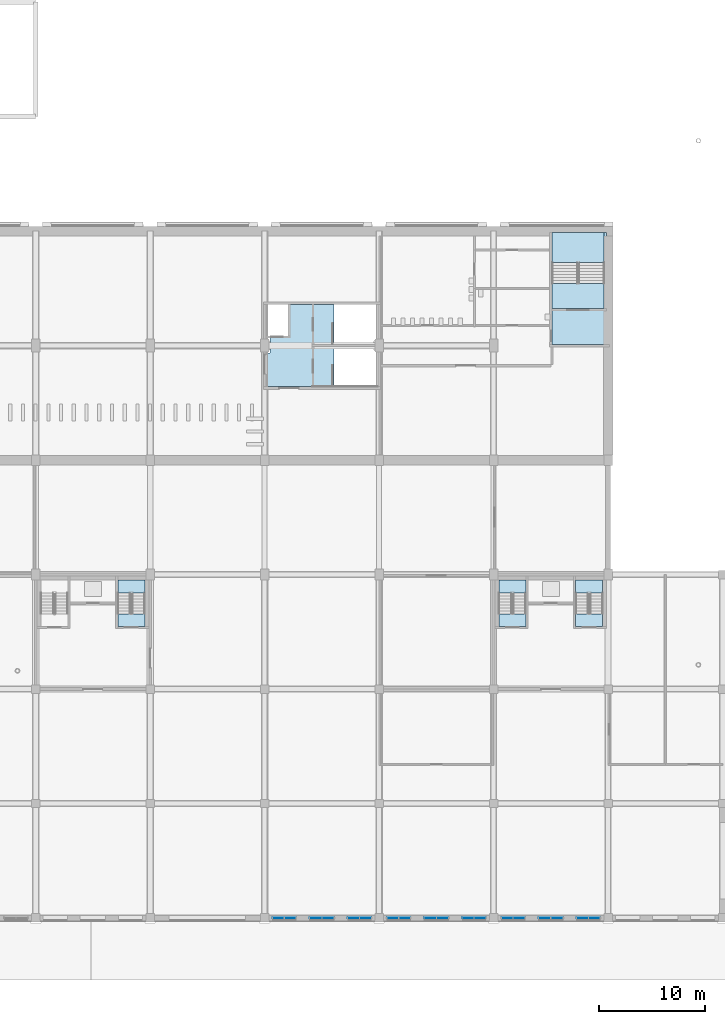
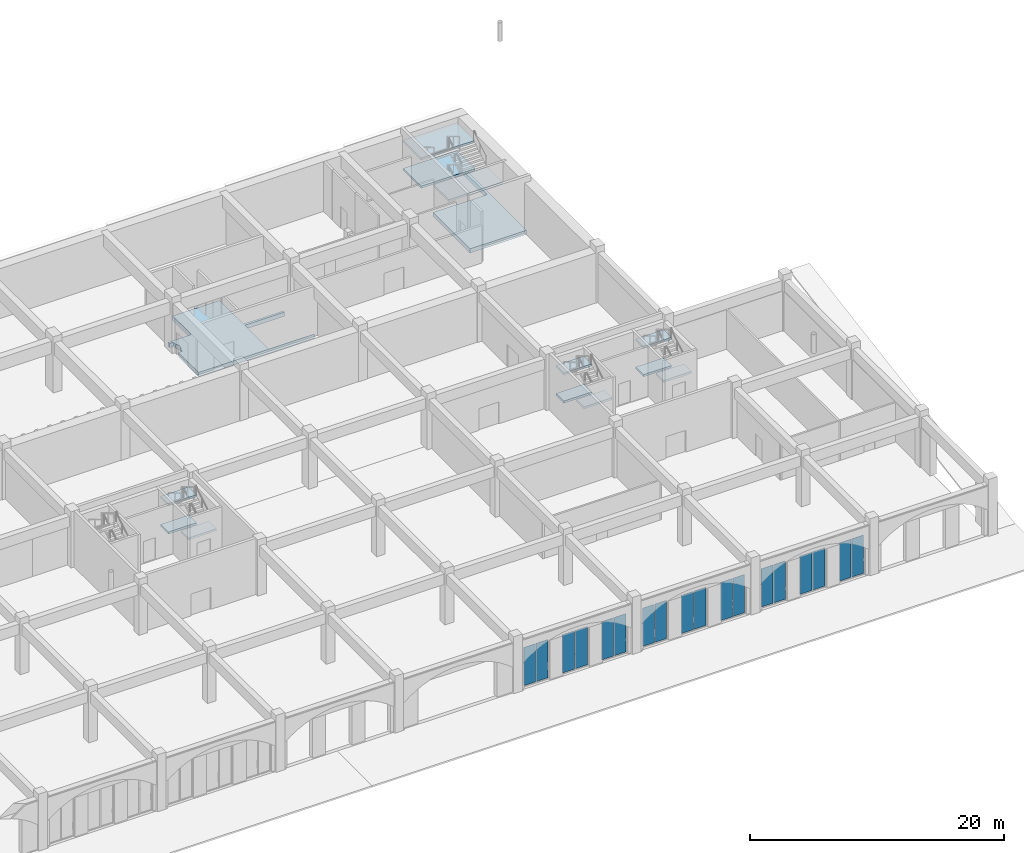
# One storey, part 24 of 101: 18 plates, 14 slabs, 13 elements without a shape of their own.
"""IFC4 building model written with IfcOpenShell, lengths in metres."""

import ifcopenshell
import ifcopenshell.guid

model = None  # the IFC model being written
_history = None  # IfcOwnerHistory: only IFC2X3 demands one
_inside = {}  # id of a spatial element -> (the spatial element, [elements in it])
_under = {}  # id of a project, library or spatial element -> (it, [spatial elements below it])
_declared = {}  # id of a project -> (the project, [libraries it declares])
_typed = {}  # id of a type object -> (the type object, [elements of that type])
_made_of = {}  # id of a material, layer set ... -> (it, [elements and type objects made of it])


def new_model(schema):
    """Start an empty IFC model of exactly this schema.

    Asked for "IFC4X3", IfcOpenShell would pick the latest addendum, in which some entities
    have other attributes; the version numbers below select the first issue.
    IFC2X3 requires an IfcOwnerHistory on every rooted entity: one is made here for all.
    """
    global model, _history
    if schema == "IFC4X3":
        model = ifcopenshell.file(schema_version=(4, 3, 0, 0))
    else:
        model = ifcopenshell.file(schema=schema)
    _inside.clear()
    _under.clear()
    _declared.clear()
    _typed.clear()
    _made_of.clear()
    _history = None
    if model.schema == "IFC2X3":
        org = make("IfcOrganization", Name="unknown")
        user = make(
            "IfcPersonAndOrganization",
            ThePerson=make("IfcPerson", FamilyName="unknown"),
            TheOrganization=org,
        )
        app = make(
            "IfcApplication",
            ApplicationDeveloper=org,
            Version="unknown",
            ApplicationFullName="unknown",
            ApplicationIdentifier="unknown",
        )
        _history = make(
            "IfcOwnerHistory",
            OwningUser=user,
            OwningApplication=app,
            ChangeAction="ADDED",
            CreationDate=0,
        )
    return model


def make(cls, **values):
    """One entity of the class cls with the attributes given. An attribute that is None is left unset."""
    return model.create_entity(
        cls, **{name: value for name, value in values.items() if value is not None}
    )


def rooted(cls, **values):
    """An entity with a GlobalId (a new one), such as an element, a storey or a relation."""
    return make(cls, GlobalId=ifcopenshell.guid.new(), OwnerHistory=_history, **values)


def si_unit(unit_type, name, prefix=None):
    """IfcSIUnit, for example si_unit("LENGTHUNIT", "METRE", prefix="MILLI")."""
    return make("IfcSIUnit", UnitType=unit_type, Prefix=prefix, Name=name)


def assignment(units):
    """IfcUnitAssignment: the units of a project."""
    return None if units is None else make("IfcUnitAssignment", Units=units)


def point(xyz):
    """IfcCartesianPoint."""
    return None if xyz is None else make("IfcCartesianPoint", Coordinates=xyz)


def direction(xyz):
    """IfcDirection."""
    return None if xyz is None else make("IfcDirection", DirectionRatios=xyz)


def frame(location, z_axis=None, x_axis=None):
    """IfcAxis2Placement3D, a coordinate frame: its origin and axes. An axis left out is left unset."""
    return make(
        "IfcAxis2Placement3D",
        Location=point(location),
        Axis=direction(z_axis),
        RefDirection=direction(x_axis),
    )


def frame_2d(location, x_axis=None):
    """IfcAxis2Placement2D, a coordinate frame in the plane: its origin and x axis."""
    return make(
        "IfcAxis2Placement2D", Location=point(location), RefDirection=direction(x_axis)
    )


def origin():
    """The frame at (0, 0, 0) with its axes left unset."""
    return frame((0.0, 0.0, 0.0))


def origin_2d():
    """The frame at (0, 0) in the plane with its x axis left unset."""
    return frame_2d((0.0, 0.0))


def place(relative_to, where):
    """IfcLocalPlacement: puts the frame where relative to a parent placement (None: the world)."""
    return make(
        "IfcLocalPlacement", PlacementRelTo=relative_to, RelativePlacement=where
    )


def context(
    kind, dimensions, precision=None, world=None, true_north=None, identifier=None
):
    """IfcGeometricRepresentationContext, for example the 3D "Model" context."""
    return make(
        "IfcGeometricRepresentationContext",
        ContextIdentifier=identifier,
        ContextType=kind,
        CoordinateSpaceDimension=dimensions,
        Precision=precision,
        WorldCoordinateSystem=world,
        TrueNorth=true_north,
    )


def subcontext(parent, identifier, kind, view, scale=None):
    """IfcGeometricRepresentationSubContext, for example "Body" below "Model"."""
    return make(
        "IfcGeometricRepresentationSubContext",
        ContextIdentifier=identifier,
        ContextType=kind,
        ParentContext=parent,
        TargetScale=scale,
        TargetView=view,
    )


def project(units=None, contexts=None):
    """IfcProject with its units and contexts."""
    return rooted(
        "IfcProject",
        Name="project",
        RepresentationContexts=contexts,
        UnitsInContext=assignment(units),
    )


def spatial(cls, under=None, at=None, **own):
    """A site, building, storey or space (cls), placed at a placement, below another one or the project."""
    s = rooted(cls, ObjectPlacement=at, **own)
    if under is not None:
        _under.setdefault(under.id(), (under, []))[1].append(s)
    return s


def polyline(points):
    """IfcPolyline through the points."""
    return make("IfcPolyline", Points=[point(p) for p in points])


def profile(cls, at=None, kind="AREA", **sizes):
    """A parametric profile (cls). Its sizes go by their IFC names, for example OverallWidth=200.0."""
    return make(cls, ProfileType=kind, Position=at, **sizes)


def rectangle(**sizes):
    """IfcRectangleProfileDef."""
    return profile("IfcRectangleProfileDef", **sizes)


def outline(outer, holes=None, kind="AREA"):
    """IfcArbitraryClosedProfileDef: a profile drawn as a closed curve; with holes, ...WithVoids."""
    if holes is None:
        return make("IfcArbitraryClosedProfileDef", ProfileType=kind, OuterCurve=outer)
    return make(
        "IfcArbitraryProfileDefWithVoids",
        ProfileType=kind,
        OuterCurve=outer,
        InnerCurves=holes,
    )


def extrude(swept, where, along, depth):
    """IfcExtrudedAreaSolid: the profile swept, set in the frame where, extruded along a direction by depth."""
    return make(
        "IfcExtrudedAreaSolid",
        SweptArea=swept,
        Position=where,
        ExtrudedDirection=direction(along),
        Depth=depth,
    )


def shape(context_of_items, identifier, shape_type, items):
    """IfcShapeRepresentation: the items that make up one representation, for example the "Body"."""
    return make(
        "IfcShapeRepresentation",
        ContextOfItems=context_of_items,
        RepresentationIdentifier=identifier,
        RepresentationType=shape_type,
        Items=items,
    )


def material(Name=None, Category=None):
    """IfcMaterial."""
    return make("IfcMaterial", Name=Name, Category=Category)


def layer(
    of_material, thickness, ventilated=None, Name=None, Category=None, Priority=None
):
    """IfcMaterialLayer: one layer of a wall or slab, of a material (None: an air gap)."""
    return make(
        "IfcMaterialLayer",
        Material=of_material,
        LayerThickness=thickness,
        IsVentilated=ventilated,
        Name=Name,
        Category=Category,
        Priority=Priority,
    )


def layer_set(layers, Name=None):
    """IfcMaterialLayerSet."""
    return make("IfcMaterialLayerSet", MaterialLayers=layers, LayerSetName=Name)


def made_of(thing, what):
    """Note that an element or type object is made of a material, layer set ...; save() writes the relation."""
    if what is not None:
        _made_of.setdefault(what.id(), (what, []))[1].append(thing)
    return thing


def type_object(cls, material=None, **own):
    """A type object (cls), such as IfcWallType, which elements share."""
    return made_of(rooted(cls, **own), material)


def element(
    cls,
    number,
    at=None,
    inside=None,
    cuts=None,
    type_object=None,
    material=None,
    context=None,
    identifier="Body",
    shape_type=None,
    held_by="IfcProductDefinitionShape",
    body=None,
    shapes=None,
    **own,
):
    """One element of the class cls, such as IfcWall. Its Tag is "e" and its number.

    at: its placement. inside: the storey or other place that contains it. cuts: it is an
    opening in that element (IfcRelVoidsElement). A single representation is given by context,
    identifier, shape_type and body (its items); several are given by shapes. held_by: the class
    of the entity that holds the representations. save() writes the other relations.
    """
    e = rooted(cls, Tag="e%d" % number, ObjectPlacement=at, **own)
    if body is not None:
        shapes = [shape(context, identifier, shape_type, body)]
    if shapes is not None:
        e.Representation = make(held_by, Representations=shapes)
    if inside is not None:
        _inside.setdefault(inside.id(), (inside, []))[1].append(e)
    if cuts is not None:
        rooted(
            "IfcRelVoidsElement", RelatingBuildingElement=cuts, RelatedOpeningElement=e
        )
    if type_object is not None:
        _typed.setdefault(type_object.id(), (type_object, []))[1].append(e)
    return made_of(e, material)


def aggregate(whole, parts):
    """IfcRelAggregates: a whole, such as a stair, and the parts it consists of."""
    return rooted("IfcRelAggregates", RelatingObject=whole, RelatedObjects=parts)


def save(model, path):
    """Write the relations noted so far, then the file.

    IfcRelAggregates (storeys below a building ...), IfcRelContainedInSpatialStructure (elements
    in a storey), IfcRelDefinesByType, IfcRelAssociatesMaterial and IfcRelDeclares: one each for
    every whole, place, type object, material and project.
    """
    for whole, parts in _under.values():
        aggregate(whole, parts)
    for where, things in _inside.values():
        rooted(
            "IfcRelContainedInSpatialStructure",
            RelatedElements=things,
            RelatingStructure=where,
        )
    for kind, things in _typed.values():
        rooted("IfcRelDefinesByType", RelatedObjects=things, RelatingType=kind)
    for what, things in _made_of.values():
        rooted("IfcRelAssociatesMaterial", RelatedObjects=things, RelatingMaterial=what)
    for by, libraries in _declared.values():
        rooted("IfcRelDeclares", RelatingContext=by, RelatedDefinitions=libraries)
    model.write(path)


model = new_model("IFC4")

# Units and contexts
model_context = context("Model", 3, precision=1e-05, world=origin(), true_north=direction((0.0, 1.0)))
body_context = subcontext(model_context, "Body", "Model", "MODEL_VIEW")
ifc_project = project(units=[si_unit("LENGTHUNIT", "METRE"), si_unit("AREAUNIT", "SQUARE_METRE"), si_unit("VOLUMEUNIT", "CUBIC_METRE"), si_unit("PLANEANGLEUNIT", "RADIAN"), si_unit("MASSUNIT", "GRAM", prefix="KILO")], contexts=[model_context])

# Site, building, storey
site_placement = place(None, origin())
site = spatial("IfcSite", under=ifc_project, at=site_placement, CompositionType="ELEMENT")
building_placement = place(site_placement, origin())
building = spatial("IfcBuilding", under=site, at=building_placement, Name="Magnolia Steps Interchange", CompositionType="ELEMENT")
storey_placement = place(building_placement, frame((0.0, 0.0, -5.39990234375)))
storey = spatial("IfcBuildingStorey", under=building, at=storey_placement, Name="B1", CompositionType="ELEMENT", Elevation=-5.39990234375)

# Slabs
ifc_material_1 = material(Name="Concrete C35", Category="concrete")
ifc_layer_1 = layer(ifc_material_1, 0.39990234375)
ifc_layer_set_1 = layer_set([ifc_layer_1], Name="Core floor slab 400")
slab_type_1 = type_object("IfcSlabType", Name="Core floor slab 400", PredefinedType="FLOOR", material=ifc_layer_set_1)
slab_1_placement = place(storey_placement, frame((0.0, 0.0, -0.400146484375)))
element("IfcSlab", 1, at=slab_1_placement, inside=storey, type_object=slab_type_1, Name="B1 core floor PC3", PredefinedType="FLOOR", context=body_context, shape_type="SweptSolid", body=[
    extrude(outline(polyline([(150.52490234375, 63.300048828125), (150.89990234375, 63.300048828125), (150.89990234375, 63.5849609375), (150.902587890625, 63.587646484375), (150.9404296875, 63.638916015625), (150.97314453125, 63.693603515625), (151.00048828125, 63.751220703125), (151.02197265625, 63.811279296875), (151.03759765625, 63.873291015625), (151.046875, 63.936279296875), (151.050048828125, 64.0), (151.046875, 64.063720703125), (151.03759765625, 64.126708984375), (151.02197265625, 64.188720703125), (151.00048828125, 64.248779296875), (150.97314453125, 64.306396484375), (150.9404296875, 64.361083984375), (150.902587890625, 64.412353515625), (150.89990234375, 64.4150390625), (150.89990234375, 64.699951171875), (150.52490234375, 64.699951171875), (150.52490234375, 64.925048828125), (152.625, 64.925048828125), (152.625, 67.875), (156.925048828125, 67.875), (156.925048828125, 64.125), (160.562255859375, 64.125), (160.552978515625, 64.063720703125), (160.550048828125, 64.0), (160.552978515625, 63.936279296875), (160.5546875, 63.925048828125), (156.925048828125, 63.925048828125), (156.925048828125, 60.175048828125), (161.074951171875, 60.175048828125), (161.074951171875, 60.125), (150.52490234375, 60.125), (150.52490234375, 63.300048828125)])), origin(), (0.0, 0.0, 1.0), 0.400146484375),
])
slab_2_placement = place(storey_placement, frame((0.0, 0.0, -0.400146484375)))
element("IfcSlab", 2, at=slab_2_placement, inside=storey, type_object=slab_type_1, Name="B1 core floor BE-E", PredefinedType="FLOOR", context=body_context, shape_type="SweptSolid", body=[
    extrude(outline(polyline([(177.52490234375, 69.925048828125), (182.425048828125, 69.925048828125), (182.425048828125, 74.675048828125), (182.675048828125, 74.675048828125), (182.675048828125, 64.125), (177.52490234375, 64.125), (177.52490234375, 69.925048828125)])), origin(), (0.0, 0.0, 1.0), 0.400146484375),
])

# Stair, slabs
ifc_material_2 = material(Name="Concrete C40", Category="concrete")
stair_type_1 = type_object("IfcStairType", Name="Exit stair 2400", PredefinedType="HALF_TURN_STAIR", material=ifc_material_2)
stair_1_placement = place(storey_placement, origin())
stair_1 = element("IfcStair", 3, at=stair_1_placement, inside=storey, type_object=stair_type_1, Name="B1 Stair 16", PredefinedType="HALF_TURN_STAIR")
ifc_material_3 = material(Name="Concrete C40", Category="concrete")
ifc_layer_2 = layer(ifc_material_3, 0.199951171875)
ifc_layer_set_2 = layer_set([ifc_layer_2], Name="Exit stair landing 200")
slab_type_2 = type_object("IfcSlabType", Name="Exit stair landing 200", PredefinedType="LANDING", material=ifc_layer_set_2)
slab_3_placement = place(storey_placement, frame((0.0, 0.0, 1.14990234375)))
slab_3 = element("IfcSlab", 4, at=slab_3_placement, type_object=slab_type_2, Name="Stair 16 landing 1", PredefinedType="LANDING", context=body_context, shape_type="SweptSolid", body=[
    extrude(outline(polyline([(182.425048828125, 71.8349609375), (182.425048828125, 74.675048828125), (177.52490234375, 74.675048828125), (177.52490234375, 71.8349609375), (182.425048828125, 71.8349609375)])), origin(), (0.0, 0.0, 1.0), 0.199951171875),
])
slab_4_placement = place(storey_placement, frame((0.0, 0.0, 2.5)))
slab_4 = element("IfcSlab", 5, at=slab_4_placement, type_object=slab_type_2, Name="Stair 16 landing 2", PredefinedType="LANDING", context=body_context, shape_type="SweptSolid", body=[
    extrude(outline(polyline([(182.425048828125, 67.47509765625), (182.425048828125, 69.875), (177.52490234375, 69.875), (177.52490234375, 67.47509765625), (182.425048828125, 67.47509765625)])), origin(), (0.0, 0.0, 1.0), 0.199951171875),
])
slab_5_placement = place(storey_placement, frame((0.0, 0.0, 3.849853515625)))
slab_5 = element("IfcSlab", 6, at=slab_5_placement, type_object=slab_type_2, Name="Stair 16 landing 3", PredefinedType="LANDING", context=body_context, shape_type="SweptSolid", body=[
    extrude(outline(polyline([(182.425048828125, 71.8349609375), (182.425048828125, 74.675048828125), (177.52490234375, 74.675048828125), (177.52490234375, 71.8349609375), (182.425048828125, 71.8349609375)])), origin(), (0.0, 0.0, 1.0), 0.199951171875),
])
aggregate(stair_1, [slab_3, slab_4, slab_5])

ifc_material_4 = material(Name="Concrete C40", Category="concrete")
stair_type_2 = type_object("IfcStairType", Name="Exit stair 1200", PredefinedType="HALF_TURN_STAIR", material=ifc_material_4)
stair_2_placement = place(storey_placement, origin())
stair_2 = element("IfcStair", 7, at=stair_2_placement, inside=storey, type_object=stair_type_2, Name="B1 Stair 22", PredefinedType="HALF_TURN_STAIR")
slab_6_placement = place(storey_placement, frame((0.0, 0.0, 1.14990234375)))
slab_6 = element("IfcSlab", 8, at=slab_6_placement, type_object=slab_type_2, Name="Stair 22 landing 1", PredefinedType="LANDING", context=body_context, shape_type="SweptSolid", body=[
    extrude(outline(polyline([(139.10009765625, 40.659912109375), (139.10009765625, 41.89990234375), (136.550048828125, 41.89990234375), (136.550048828125, 40.659912109375), (139.10009765625, 40.659912109375)])), origin(), (0.0, 0.0, 1.0), 0.199951171875),
])
slab_7_placement = place(storey_placement, frame((0.0, 0.0, 2.5)))
slab_7 = element("IfcSlab", 9, at=slab_7_placement, type_object=slab_type_2, Name="Stair 22 landing 2", PredefinedType="LANDING", context=body_context, shape_type="SweptSolid", body=[
    extrude(outline(polyline([(139.10009765625, 37.5), (139.10009765625, 38.699951171875), (136.550048828125, 38.699951171875), (136.550048828125, 37.5), (139.10009765625, 37.5)])), origin(), (0.0, 0.0, 1.0), 0.199951171875),
])
slab_8_placement = place(storey_placement, frame((0.0, 0.0, 3.849853515625)))
slab_8 = element("IfcSlab", 10, at=slab_8_placement, type_object=slab_type_2, Name="Stair 22 landing 3", PredefinedType="LANDING", context=body_context, shape_type="SweptSolid", body=[
    extrude(outline(polyline([(139.10009765625, 40.659912109375), (139.10009765625, 41.89990234375), (136.550048828125, 41.89990234375), (136.550048828125, 40.659912109375), (139.10009765625, 40.659912109375)])), origin(), (0.0, 0.0, 1.0), 0.199951171875),
])
aggregate(stair_2, [slab_6, slab_7, slab_8])

stair_3_placement = place(storey_placement, origin())
stair_3 = element("IfcStair", 11, at=stair_3_placement, inside=storey, type_object=stair_type_2, Name="B1 Stair 23", PredefinedType="HALF_TURN_STAIR")
slab_9_placement = place(storey_placement, frame((0.0, 0.0, 1.14990234375)))
slab_9 = element("IfcSlab", 12, at=slab_9_placement, type_object=slab_type_2, Name="Stair 23 landing 1", PredefinedType="LANDING", context=body_context, shape_type="SweptSolid", body=[
    extrude(outline(polyline([(175.050048828125, 40.659912109375), (175.050048828125, 41.89990234375), (172.5, 41.89990234375), (172.5, 40.659912109375), (175.050048828125, 40.659912109375)])), origin(), (0.0, 0.0, 1.0), 0.199951171875),
])
slab_10_placement = place(storey_placement, frame((0.0, 0.0, 2.5)))
slab_10 = element("IfcSlab", 13, at=slab_10_placement, type_object=slab_type_2, Name="Stair 23 landing 2", PredefinedType="LANDING", context=body_context, shape_type="SweptSolid", body=[
    extrude(outline(polyline([(175.050048828125, 37.5), (175.050048828125, 38.699951171875), (172.5, 38.699951171875), (172.5, 37.5), (175.050048828125, 37.5)])), origin(), (0.0, 0.0, 1.0), 0.199951171875),
])
slab_11_placement = place(storey_placement, frame((0.0, 0.0, 3.849853515625)))
slab_11 = element("IfcSlab", 14, at=slab_11_placement, type_object=slab_type_2, Name="Stair 23 landing 3", PredefinedType="LANDING", context=body_context, shape_type="SweptSolid", body=[
    extrude(outline(polyline([(175.050048828125, 40.659912109375), (175.050048828125, 41.89990234375), (172.5, 41.89990234375), (172.5, 40.659912109375), (175.050048828125, 40.659912109375)])), origin(), (0.0, 0.0, 1.0), 0.199951171875),
])
aggregate(stair_3, [slab_9, slab_10, slab_11])

stair_4_placement = place(storey_placement, origin())
stair_4 = element("IfcStair", 15, at=stair_4_placement, inside=storey, type_object=stair_type_2, Name="B1 Stair 24", PredefinedType="HALF_TURN_STAIR")
slab_12_placement = place(storey_placement, frame((0.0, 0.0, 1.14990234375)))
slab_12 = element("IfcSlab", 16, at=slab_12_placement, type_object=slab_type_2, Name="Stair 24 landing 1", PredefinedType="LANDING", context=body_context, shape_type="SweptSolid", body=[
    extrude(outline(polyline([(182.300048828125, 40.659912109375), (182.300048828125, 41.89990234375), (179.75, 41.89990234375), (179.75, 40.659912109375), (182.300048828125, 40.659912109375)])), origin(), (0.0, 0.0, 1.0), 0.199951171875),
])
slab_13_placement = place(storey_placement, frame((0.0, 0.0, 2.5)))
slab_13 = element("IfcSlab", 17, at=slab_13_placement, type_object=slab_type_2, Name="Stair 24 landing 2", PredefinedType="LANDING", context=body_context, shape_type="SweptSolid", body=[
    extrude(outline(polyline([(182.300048828125, 37.5), (182.300048828125, 38.699951171875), (179.75, 38.699951171875), (179.75, 37.5), (182.300048828125, 37.5)])), origin(), (0.0, 0.0, 1.0), 0.199951171875),
])
slab_14_placement = place(storey_placement, frame((0.0, 0.0, 3.849853515625)))
slab_14 = element("IfcSlab", 18, at=slab_14_placement, type_object=slab_type_2, Name="Stair 24 landing 3", PredefinedType="LANDING", context=body_context, shape_type="SweptSolid", body=[
    extrude(outline(polyline([(182.300048828125, 40.659912109375), (182.300048828125, 41.89990234375), (179.75, 41.89990234375), (179.75, 40.659912109375), (182.300048828125, 40.659912109375)])), origin(), (0.0, 0.0, 1.0), 0.199951171875),
])
aggregate(stair_4, [slab_12, slab_13, slab_14])

# Curtain wall, plates
ifc_material_5 = material(Name="Powder-coated aluminium and glass", Category="aluminium")
ifc_layer_3 = layer(ifc_material_5, 0.1201171875)
ifc_layer_set_3 = layer_set([ifc_layer_3], Name="Shopfront curtain wall")
curtain_wall_type = type_object("IfcCurtainWallType", Name="Shopfront curtain wall", PredefinedType="NOTDEFINED", material=ifc_layer_set_3)
curtain_wall_1_placement = place(storey_placement, origin())
curtain_wall_1 = element("IfcCurtainWall", 19, at=curtain_wall_1_placement, inside=storey, type_object=curtain_wall_type, Name="Street arcade shopfront 50", PredefinedType="NOTDEFINED")
ifc_material_6 = material(Name="Laminated glass", Category="glass")
ifc_layer_4 = layer(ifc_material_6, 0.028076171875)
ifc_layer_set_4 = layer_set([ifc_layer_4], Name="Glass panel 28")
plate_type = type_object("IfcPlateType", Name="Glass panel 28", PredefinedType="CURTAIN_PANEL", material=ifc_layer_set_4)
plate_1_placement = place(storey_placement, frame((151.68994140625, 10.0, 0.06005859375), z_axis=(0.0, 0.0, 1.0), x_axis=(1.0, 0.0, 0.0)))
plate_1 = element("IfcPlate", 20, at=plate_1_placement, type_object=plate_type, Name="CW3 panel 1.1", PredefinedType="CURTAIN_PANEL", context=body_context, shape_type="SweptSolid", body=[
    extrude(rectangle(XDim=1.06005859375, YDim=0.028076171875, at=origin_2d()), origin(), (0.0, 0.0, 1.0), 3.679931640625),
])
plate_2_placement = place(storey_placement, frame((152.81005859375, 10.0, 0.06005859375), z_axis=(0.0, 0.0, 1.0), x_axis=(1.0, 0.0, 0.0)))
plate_2 = element("IfcPlate", 21, at=plate_2_placement, type_object=plate_type, Name="CW3 panel 2.1", PredefinedType="CURTAIN_PANEL", context=body_context, shape_type="SweptSolid", body=[
    extrude(rectangle(XDim=1.06005859375, YDim=0.028076171875, at=origin_2d()), origin(), (0.0, 0.0, 1.0), 3.679931640625),
])
aggregate(curtain_wall_1, [plate_1, plate_2])

curtain_wall_2_placement = place(storey_placement, origin())
curtain_wall_2 = element("IfcCurtainWall", 22, at=curtain_wall_2_placement, inside=storey, type_object=curtain_wall_type, Name="Street arcade shopfront 52", PredefinedType="NOTDEFINED")
plate_3_placement = place(storey_placement, frame((155.215087890625, 10.0, 0.06005859375), z_axis=(0.0, 0.0, 1.0), x_axis=(1.0, 0.0, 0.0)))
plate_3 = element("IfcPlate", 23, at=plate_3_placement, type_object=plate_type, Name="CW3 panel 1.1", PredefinedType="CURTAIN_PANEL", context=body_context, shape_type="SweptSolid", body=[
    extrude(rectangle(XDim=1.110107421875, YDim=0.028076171875, at=origin_2d()), origin(), (0.0, 0.0, 1.0), 3.679931640625),
])
plate_4_placement = place(storey_placement, frame((156.385009765625, 10.0, 0.06005859375), z_axis=(0.0, 0.0, 1.0), x_axis=(1.0, 0.0, 0.0)))
plate_4 = element("IfcPlate", 24, at=plate_4_placement, type_object=plate_type, Name="CW3 panel 2.1", PredefinedType="CURTAIN_PANEL", context=body_context, shape_type="SweptSolid", body=[
    extrude(rectangle(XDim=1.110107421875, YDim=0.028076171875, at=origin_2d()), origin(), (0.0, 0.0, 1.0), 3.679931640625),
])
aggregate(curtain_wall_2, [plate_3, plate_4])

curtain_wall_3_placement = place(storey_placement, origin())
curtain_wall_3 = element("IfcCurtainWall", 25, at=curtain_wall_3_placement, inside=storey, type_object=curtain_wall_type, Name="Street arcade shopfront 54", PredefinedType="NOTDEFINED")
plate_5_placement = place(storey_placement, frame((158.7900390625, 10.0, 0.06005859375), z_axis=(0.0, 0.0, 1.0), x_axis=(1.0, 0.0, 0.0)))
plate_5 = element("IfcPlate", 26, at=plate_5_placement, type_object=plate_type, Name="CW3 panel 1.1", PredefinedType="CURTAIN_PANEL", context=body_context, shape_type="SweptSolid", body=[
    extrude(rectangle(XDim=1.06005859375, YDim=0.028076171875, at=origin_2d()), origin(), (0.0, 0.0, 1.0), 3.679931640625),
])
plate_6_placement = place(storey_placement, frame((159.909912109375, 10.0, 0.06005859375), z_axis=(0.0, 0.0, 1.0), x_axis=(1.0, 0.0, 0.0)))
plate_6 = element("IfcPlate", 27, at=plate_6_placement, type_object=plate_type, Name="CW3 panel 2.1", PredefinedType="CURTAIN_PANEL", context=body_context, shape_type="SweptSolid", body=[
    extrude(rectangle(XDim=1.06005859375, YDim=0.028076171875, at=origin_2d()), origin(), (0.0, 0.0, 1.0), 3.679931640625),
])
aggregate(curtain_wall_3, [plate_5, plate_6])

curtain_wall_4_placement = place(storey_placement, origin())
curtain_wall_4 = element("IfcCurtainWall", 28, at=curtain_wall_4_placement, inside=storey, type_object=curtain_wall_type, Name="Street arcade shopfront 56", PredefinedType="NOTDEFINED")
plate_7_placement = place(storey_placement, frame((162.489990234375, 10.0, 0.06005859375), z_axis=(0.0, 0.0, 1.0), x_axis=(1.0, 0.0, 0.0)))
plate_7 = element("IfcPlate", 29, at=plate_7_placement, type_object=plate_type, Name="CW3 panel 1.1", PredefinedType="CURTAIN_PANEL", context=body_context, shape_type="SweptSolid", body=[
    extrude(rectangle(XDim=1.06005859375, YDim=0.028076171875, at=origin_2d()), origin(), (0.0, 0.0, 1.0), 3.679931640625),
])
plate_8_placement = place(storey_placement, frame((163.610107421875, 10.0, 0.06005859375), z_axis=(0.0, 0.0, 1.0), x_axis=(1.0, 0.0, 0.0)))
plate_8 = element("IfcPlate", 30, at=plate_8_placement, type_object=plate_type, Name="CW3 panel 2.1", PredefinedType="CURTAIN_PANEL", context=body_context, shape_type="SweptSolid", body=[
    extrude(rectangle(XDim=1.06005859375, YDim=0.028076171875, at=origin_2d()), origin(), (0.0, 0.0, 1.0), 3.679931640625),
])
aggregate(curtain_wall_4, [plate_7, plate_8])

curtain_wall_5_placement = place(storey_placement, origin())
curtain_wall_5 = element("IfcCurtainWall", 31, at=curtain_wall_5_placement, inside=storey, type_object=curtain_wall_type, Name="Street arcade shopfront 58", PredefinedType="NOTDEFINED")
plate_9_placement = place(storey_placement, frame((166.014892578125, 10.0, 0.06005859375), z_axis=(0.0, 0.0, 1.0), x_axis=(1.0, 0.0, 0.0)))
plate_9 = element("IfcPlate", 32, at=plate_9_placement, type_object=plate_type, Name="CW3 panel 1.1", PredefinedType="CURTAIN_PANEL", context=body_context, shape_type="SweptSolid", body=[
    extrude(rectangle(XDim=1.110107421875, YDim=0.028076171875, at=origin_2d()), origin(), (0.0, 0.0, 1.0), 3.679931640625),
])
plate_10_placement = place(storey_placement, frame((167.18505859375, 10.0, 0.06005859375), z_axis=(0.0, 0.0, 1.0), x_axis=(1.0, 0.0, 0.0)))
plate_10 = element("IfcPlate", 33, at=plate_10_placement, type_object=plate_type, Name="CW3 panel 2.1", PredefinedType="CURTAIN_PANEL", context=body_context, shape_type="SweptSolid", body=[
    extrude(rectangle(XDim=1.110107421875, YDim=0.028076171875, at=origin_2d()), origin(), (0.0, 0.0, 1.0), 3.679931640625),
])
aggregate(curtain_wall_5, [plate_9, plate_10])

curtain_wall_6_placement = place(storey_placement, origin())
curtain_wall_6 = element("IfcCurtainWall", 34, at=curtain_wall_6_placement, inside=storey, type_object=curtain_wall_type, Name="Street arcade shopfront 60", PredefinedType="NOTDEFINED")
plate_11_placement = place(storey_placement, frame((169.590087890625, 10.0, 0.06005859375), z_axis=(0.0, 0.0, 1.0), x_axis=(1.0, 0.0, 0.0)))
plate_11 = element("IfcPlate", 35, at=plate_11_placement, type_object=plate_type, Name="CW3 panel 1.1", PredefinedType="CURTAIN_PANEL", context=body_context, shape_type="SweptSolid", body=[
    extrude(rectangle(XDim=1.06005859375, YDim=0.028076171875, at=origin_2d()), origin(), (0.0, 0.0, 1.0), 3.679931640625),
])
plate_12_placement = place(storey_placement, frame((170.7099609375, 10.0, 0.06005859375), z_axis=(0.0, 0.0, 1.0), x_axis=(1.0, 0.0, 0.0)))
plate_12 = element("IfcPlate", 36, at=plate_12_placement, type_object=plate_type, Name="CW3 panel 2.1", PredefinedType="CURTAIN_PANEL", context=body_context, shape_type="SweptSolid", body=[
    extrude(rectangle(XDim=1.06005859375, YDim=0.028076171875, at=origin_2d()), origin(), (0.0, 0.0, 1.0), 3.679931640625),
])
aggregate(curtain_wall_6, [plate_11, plate_12])

curtain_wall_7_placement = place(storey_placement, origin())
curtain_wall_7 = element("IfcCurtainWall", 37, at=curtain_wall_7_placement, inside=storey, type_object=curtain_wall_type, Name="Street arcade shopfront 62", PredefinedType="NOTDEFINED")
plate_13_placement = place(storey_placement, frame((173.2900390625, 10.0, 0.06005859375), z_axis=(0.0, 0.0, 1.0), x_axis=(1.0, 0.0, 0.0)))
plate_13 = element("IfcPlate", 38, at=plate_13_placement, type_object=plate_type, Name="CW3 panel 1.1", PredefinedType="CURTAIN_PANEL", context=body_context, shape_type="SweptSolid", body=[
    extrude(rectangle(XDim=1.06005859375, YDim=0.028076171875, at=origin_2d()), origin(), (0.0, 0.0, 1.0), 3.679931640625),
])
plate_14_placement = place(storey_placement, frame((174.409912109375, 10.0, 0.06005859375), z_axis=(0.0, 0.0, 1.0), x_axis=(1.0, 0.0, 0.0)))
plate_14 = element("IfcPlate", 39, at=plate_14_placement, type_object=plate_type, Name="CW3 panel 2.1", PredefinedType="CURTAIN_PANEL", context=body_context, shape_type="SweptSolid", body=[
    extrude(rectangle(XDim=1.06005859375, YDim=0.028076171875, at=origin_2d()), origin(), (0.0, 0.0, 1.0), 3.679931640625),
])
aggregate(curtain_wall_7, [plate_13, plate_14])

curtain_wall_8_placement = place(storey_placement, origin())
curtain_wall_8 = element("IfcCurtainWall", 40, at=curtain_wall_8_placement, inside=storey, type_object=curtain_wall_type, Name="Street arcade shopfront 64", PredefinedType="NOTDEFINED")
plate_15_placement = place(storey_placement, frame((176.81494140625, 10.0, 0.06005859375), z_axis=(0.0, 0.0, 1.0), x_axis=(1.0, 0.0, 0.0)))
plate_15 = element("IfcPlate", 41, at=plate_15_placement, type_object=plate_type, Name="CW3 panel 1.1", PredefinedType="CURTAIN_PANEL", context=body_context, shape_type="SweptSolid", body=[
    extrude(rectangle(XDim=1.110107421875, YDim=0.028076171875, at=origin_2d()), origin(), (0.0, 0.0, 1.0), 3.679931640625),
])
plate_16_placement = place(storey_placement, frame((177.985107421875, 10.0, 0.06005859375), z_axis=(0.0, 0.0, 1.0), x_axis=(1.0, 0.0, 0.0)))
plate_16 = element("IfcPlate", 42, at=plate_16_placement, type_object=plate_type, Name="CW3 panel 2.1", PredefinedType="CURTAIN_PANEL", context=body_context, shape_type="SweptSolid", body=[
    extrude(rectangle(XDim=1.110107421875, YDim=0.028076171875, at=origin_2d()), origin(), (0.0, 0.0, 1.0), 3.679931640625),
])
aggregate(curtain_wall_8, [plate_15, plate_16])

curtain_wall_9_placement = place(storey_placement, origin())
curtain_wall_9 = element("IfcCurtainWall", 43, at=curtain_wall_9_placement, inside=storey, type_object=curtain_wall_type, Name="Street arcade shopfront 66", PredefinedType="NOTDEFINED")
plate_17_placement = place(storey_placement, frame((180.389892578125, 10.0, 0.06005859375), z_axis=(0.0, 0.0, 1.0), x_axis=(1.0, 0.0, 0.0)))
plate_17 = element("IfcPlate", 44, at=plate_17_placement, type_object=plate_type, Name="CW3 panel 1.1", PredefinedType="CURTAIN_PANEL", context=body_context, shape_type="SweptSolid", body=[
    extrude(rectangle(XDim=1.06005859375, YDim=0.028076171875, at=origin_2d()), origin(), (0.0, 0.0, 1.0), 3.679931640625),
])
plate_18_placement = place(storey_placement, frame((181.510009765625, 10.0, 0.06005859375), z_axis=(0.0, 0.0, 1.0), x_axis=(1.0, 0.0, 0.0)))
plate_18 = element("IfcPlate", 45, at=plate_18_placement, type_object=plate_type, Name="CW3 panel 2.1", PredefinedType="CURTAIN_PANEL", context=body_context, shape_type="SweptSolid", body=[
    extrude(rectangle(XDim=1.06005859375, YDim=0.028076171875, at=origin_2d()), origin(), (0.0, 0.0, 1.0), 3.679931640625),
])
aggregate(curtain_wall_9, [plate_17, plate_18])

save(model, "model.ifc")
